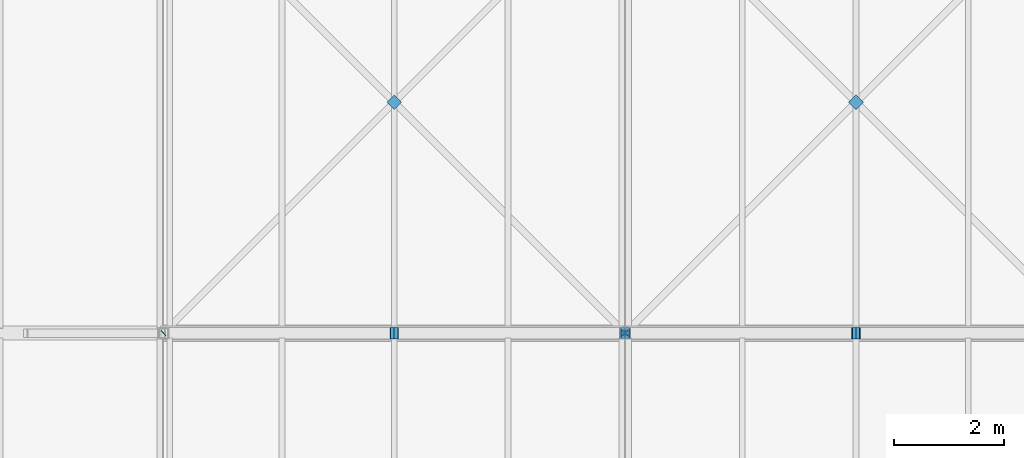
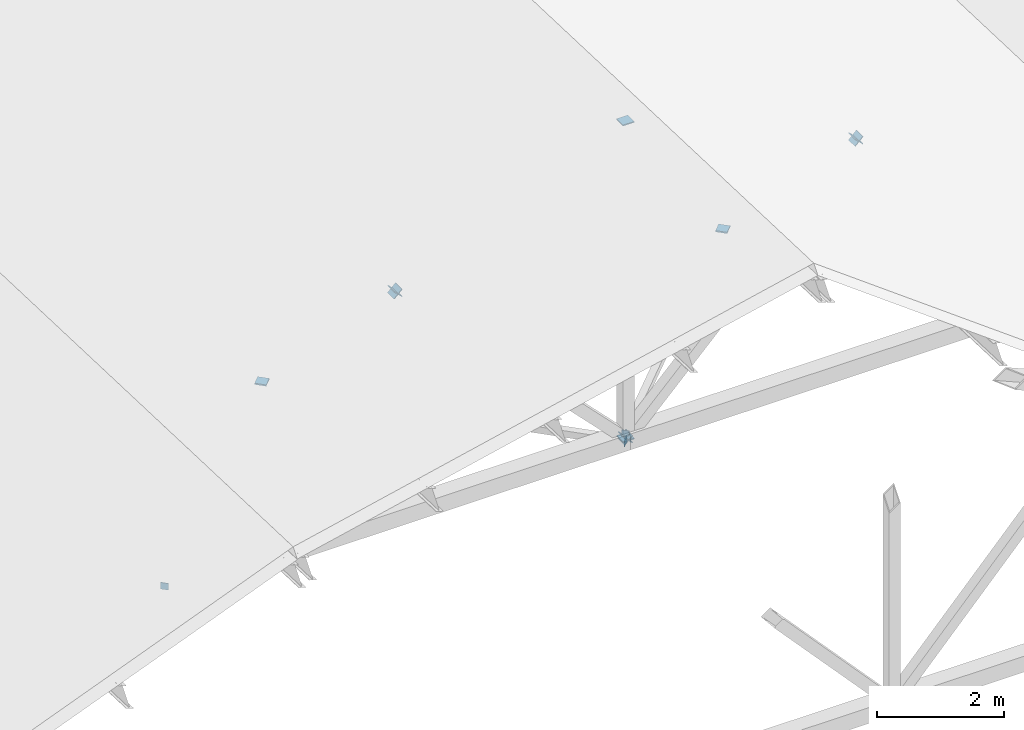
# One storey, part 47 of 76: 13 discrete accessories.
"""IFC4 building model written with IfcOpenShell, lengths in metres."""

from ifc_helpers import new_model, si_unit, direction, frame, origin, origin_2d, place, context, subcontext, project, spatial, rectangle, extrude, material, element, save


model = new_model("IFC4")

# Units and contexts
model_context = context("Model", 3, precision=1e-05, world=origin(), true_north=direction((0.0, 1.0)))
body_context = subcontext(model_context, "Body", "Model", "MODEL_VIEW")
ifc_project = project(units=[si_unit("LENGTHUNIT", "METRE"), si_unit("AREAUNIT", "SQUARE_METRE"), si_unit("VOLUMEUNIT", "CUBIC_METRE"), si_unit("PLANEANGLEUNIT", "RADIAN"), si_unit("MASSUNIT", "GRAM", prefix="KILO")], contexts=[model_context])

# Site, building, storey
site_placement = place(None, origin())
site = spatial("IfcSite", under=ifc_project, at=site_placement, CompositionType="ELEMENT")
building_placement = place(site_placement, origin())
building = spatial("IfcBuilding", under=site, at=building_placement, Name="Hlaing Beacon Police Headquarters", CompositionType="ELEMENT")
storey_placement = place(building_placement, frame((0.0, 0.0, 18.89990234375)))
storey = spatial("IfcBuildingStorey", under=building, at=storey_placement, Name="L04", CompositionType="ELEMENT", Elevation=18.89990234375)

# Discrete accessories
ifc_material = material(Name="Steel ASTM A572 Grade 50", Category="steel")
for number, where, z_axis, x_axis, name in (
    (1, (67.199951171875, 58.800048828125, -4.33740234375), (0.0, 0.0, -1.0), (1.0, 0.0, 0.0), "Gusset plate GP-325"),
    (2, (67.199951171875, 58.800048828125, 1.744384765625), (0.0, 0.0, 1.0), (1.0, 0.0, 0.0), "Gusset plate GP-326"),
):
    element("IfcDiscreteAccessory", number, at=place(storey_placement, frame(where, z_axis=z_axis, x_axis=x_axis)), inside=storey, material=ifc_material, Name=name, PredefinedType="BRACKET", context=body_context, shape_type="SweptSolid", body=[
        extrude(rectangle(XDim=0.203125, YDim=0.203125, at=origin_2d()), origin(), (0.0, 0.0, 1.0), 0.02001953125),
    ])
for number, where, z_axis, x_axis, name in (
    (3, (62.994384765625, 58.800048828125, -0.0634765625), (0.699584566608, 0.0, 0.714549812234), (0.0, 1.0, 0.0), "Gusset plate GP-334"),
    (4, (63.005615234375, 58.800048828125, -0.063232421875), (-0.699584566608, 0.0, 0.714549812234), (0.0, -1.0, 0.0), "Gusset plate GP-335"),
    (5, (67.1943359375, 58.800048828125, -4.341552734375), (0.699584566608, 0.0, -0.714549812234), (0.0, 1.0, 0.0), "Gusset plate GP-336"),
    (6, (67.20556640625, 58.800048828125, -4.341796875), (-0.699584566608, 0.0, -0.714549812234), (0.0, -1.0, 0.0), "Gusset plate GP-337"),
    (7, (71.394287109375, 58.800048828125, -0.0634765625), (0.699584566608, 0.0, 0.714549812234), (0.0, 1.0, 0.0), "Gusset plate GP-338"),
    (8, (71.405517578125, 58.800048828125, -0.063232421875), (-0.699605329245, 0.0, 0.714529483851), (0.0, -1.0, 0.0), "Gusset plate GP-339"),
):
    element("IfcDiscreteAccessory", number, at=place(storey_placement, frame(where, z_axis=z_axis, x_axis=x_axis)), inside=storey, material=ifc_material, Name=name, PredefinedType="BRACKET", context=body_context, shape_type="SweptSolid", body=[
        extrude(rectangle(XDim=0.203125, YDim=0.203125, at=origin_2d()), origin(), (0.0, 0.0, 1.0), 0.01611328125),
    ])
for number, where, z_axis, x_axis, name in (
    (9, (58.80419921875, 58.80419921875, -4.27392578125), (-0.707106781187, -0.707106781187, 0.0), (0.707106781187, -0.707106781187, 0.0), "Gusset plate GP-399"),
    (10, (67.195556640625, 58.804443359375, -4.4208984375), (0.707106781187, -0.707106781187, 0.0), (0.707106781187, 0.707106781187, 0.0), "Gusset plate GP-402"),
    (11, (67.2041015625, 58.80419921875, -4.27392578125), (-0.707117056885, -0.707096505339, 0.0), (0.707096505339, -0.707117056885, 0.0), "Gusset plate GP-403"),
):
    element("IfcDiscreteAccessory", number, at=place(storey_placement, frame(where, z_axis=z_axis, x_axis=x_axis)), inside=storey, material=ifc_material, Name=name, PredefinedType="BRACKET", context=body_context, shape_type="SweptSolid", body=[
        extrude(rectangle(XDim=0.126953125, YDim=0.126953125, at=origin_2d()), origin(), (0.0, 0.0, 1.0), 0.011962890625),
    ])
for number, where, z_axis, x_axis, name in (
    (12, (63.0, 63.0, -4.360595703125), (0.0, 0.0, 1.0), (0.707106781187, 0.707106781187, 0.0), "Node plate NP-005"),
    (13, (71.39990234375, 63.0, -4.360595703125), (0.0, 0.0, 1.0), (0.707106781187, 0.707106781187, 0.0), "Node plate NP-006"),
):
    element("IfcDiscreteAccessory", number, at=place(storey_placement, frame(where, z_axis=z_axis, x_axis=x_axis)), inside=storey, material=ifc_material, Name=name, PredefinedType="BRACKET", context=body_context, shape_type="SweptSolid", body=[
        extrude(rectangle(XDim=0.1904296875, YDim=0.1904296875, at=origin_2d()), origin(), (0.0, 0.0, 1.0), 0.02587890625),
    ])

save(model, "model.ifc")
